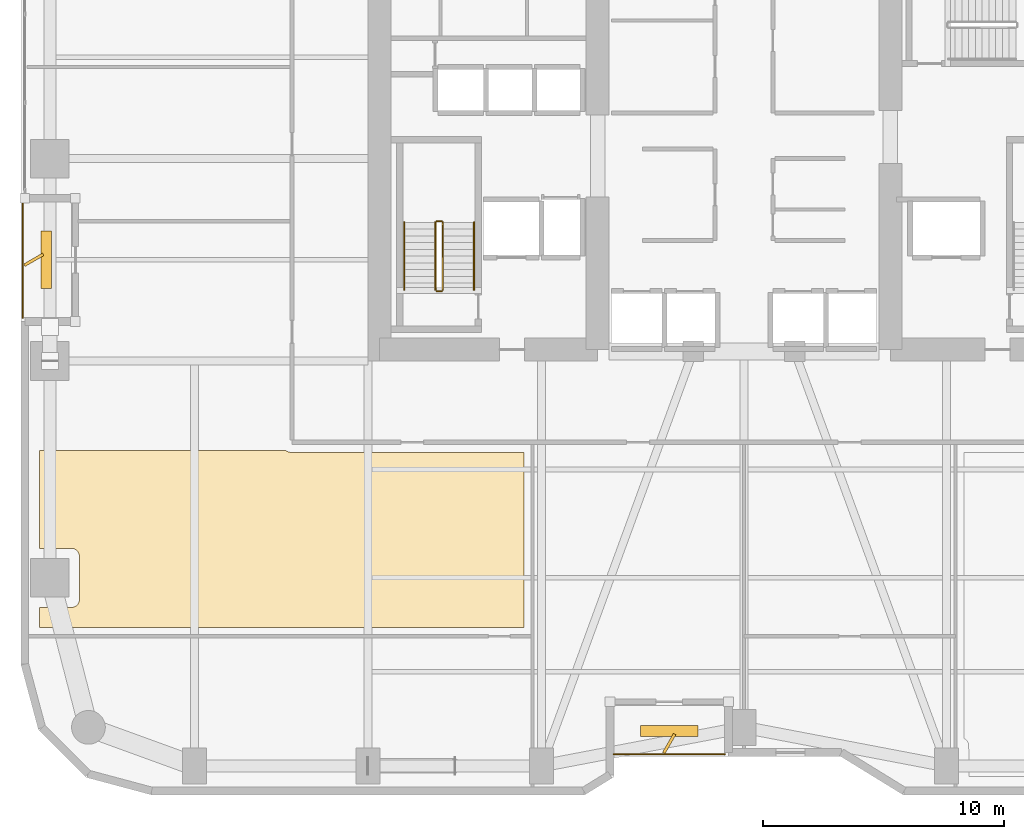
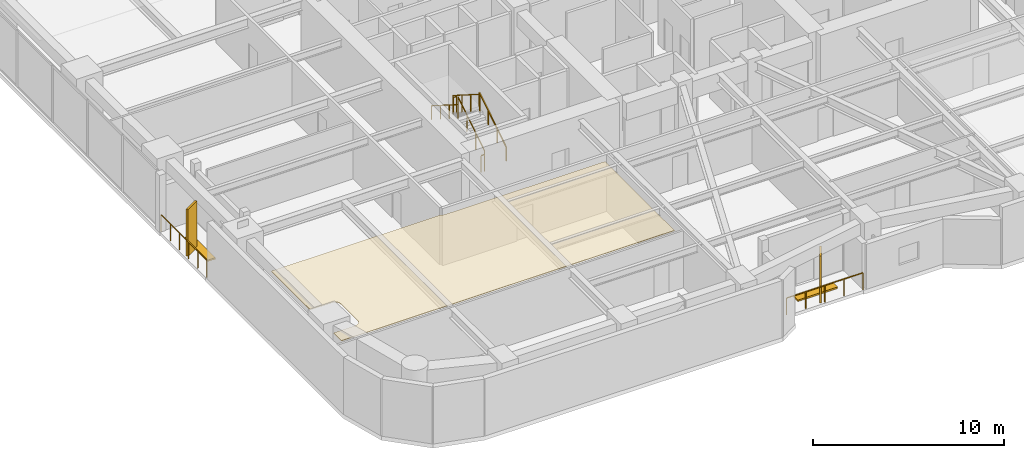
# One storey, part 22 of 24: 8 railings, 4 shading devices, 1 covering.
"""IFC4 building model written with IfcOpenShell, lengths in metres."""

from ifc_helpers import new_model, si_unit, direction, frame, origin, origin_2d, place, context, subcontext, project, spatial, polyline, rectangle, outline, extrude, material, layer, layer_set, type_object, element, save


model = new_model("IFC4")

# Units and contexts
model_context = context("Model", 3, precision=1e-05, world=origin(), true_north=direction((0.0, 1.0)))
body_context = subcontext(model_context, "Body", "Model", "MODEL_VIEW")
ifc_project = project(units=[si_unit("LENGTHUNIT", "METRE"), si_unit("AREAUNIT", "SQUARE_METRE"), si_unit("VOLUMEUNIT", "CUBIC_METRE"), si_unit("PLANEANGLEUNIT", "RADIAN"), si_unit("MASSUNIT", "GRAM", prefix="KILO")], contexts=[model_context])

# Site, building, storey
site_placement = place(None, origin())
site = spatial("IfcSite", under=ifc_project, at=site_placement, CompositionType="ELEMENT")
building_placement = place(site_placement, origin())
building = spatial("IfcBuilding", under=site, at=building_placement, Name="Kiyonajd Concourse Tower", CompositionType="ELEMENT")
storey_placement = place(building_placement, frame((0.0, 0.0, 85.800048828125)))
storey = spatial("IfcBuildingStorey", under=building, at=storey_placement, Name="L22", CompositionType="ELEMENT", Elevation=85.800048828125)

# Covering
ifc_material_1 = material(Name="Natural Oak Acoustic Timber Veneer", Category="wood")
ifc_layer = layer(ifc_material_1, 0.0400390625)
ifc_layer_set = layer_set([ifc_layer], Name="Natural Oak Acoustic Timber Veneer")
covering_type = type_object("IfcCoveringType", Name="CV-CLG-ACST", PredefinedType="CEILING", material=ifc_layer_set)
covering_placement = place(storey_placement, frame((0.0, 0.0, 3.4599609375)))
element("IfcCovering", 1, at=covering_placement, inside=storey, type_object=covering_type, Name="L22-41 Room Acoustic Ceiling", PredefinedType="CEILING", context=body_context, shape_type="SweptSolid", body=[
    extrude(outline(polyline([(29.001953125, 23.8798828125), (29.056884765625, 23.845947265625), (29.1201171875, 23.820068359375), (29.25, 23.800048828125), (38.8701171875, 23.800048828125), (38.8701171875, 16.550048828125), (18.77001953125, 16.550048828125), (18.77001953125, 17.3701171875), (20.080078125, 17.3701171875), (20.14794921875, 17.376953125), (20.2451171875, 17.410888671875), (20.302001953125, 17.448974609375), (20.35107421875, 17.498046875), (20.388916015625, 17.554931640625), (20.4150390625, 17.617919921875), (20.429931640625, 17.719970703125), (20.429931640625, 19.47998046875), (20.4150390625, 19.58203125), (20.388916015625, 19.64501953125), (20.35107421875, 19.701904296875), (20.302001953125, 19.7509765625), (20.2451171875, 19.7890625), (20.181884765625, 19.81494140625), (20.114013671875, 19.827880859375), (18.77001953125, 19.830078125), (18.77001953125, 23.8798828125), (29.001953125, 23.8798828125)])), origin(), (0.0, 0.0, 1.0), 0.0400390625),
])

# Railings
ifc_material_2 = material(Name="Thermally Broken Anodised Aluminium", Category="aluminium")
railing_type_1 = type_object("IfcRailingType", Name="RL-GRD-LOG", PredefinedType="GUARDRAIL", material=ifc_material_2)
railing_1_placement = place(storey_placement, frame((42.60009765625, 11.280029296875, 0.0)))
element("IfcRailing", 2, at=railing_1_placement, inside=storey, type_object=railing_type_1, Name="L22 Engawa Loggia Perimeter Guard LOG-S", PredefinedType="GUARDRAIL", context=body_context, shape_type="SweptSolid", body=[
    extrude(rectangle(XDim=0.048095703125, YDim=0.048095703125, at=origin_2d()), frame((0.0, 0.0, 1.076171875), z_axis=(1.0, 0.0, 0.0), x_axis=(0.0, 1.0, 0.0)), (0.0, 0.0, 1.0), 4.599853515625),
    extrude(rectangle(XDim=0.0419921875, YDim=0.0419921875, at=origin_2d()), origin(), (0.0, 0.0, 1.0), 1.052001953125),
    extrude(rectangle(XDim=0.0419921875, YDim=0.0419921875, at=origin_2d()), frame((1.14990234375, 0.0, 0.0)), (0.0, 0.0, 1.0), 1.052001953125),
    extrude(rectangle(XDim=0.0419921875, YDim=0.0419921875, at=origin_2d()), frame((2.2998046875, 0.0, 0.0)), (0.0, 0.0, 1.0), 1.052001953125),
    extrude(rectangle(XDim=0.0419921875, YDim=0.0419921875, at=origin_2d()), frame((3.449951171875, 0.0, 0.0)), (0.0, 0.0, 1.0), 1.052001953125),
    extrude(rectangle(XDim=0.0419921875, YDim=0.0419921875, at=origin_2d()), frame((4.599853515625, 0.0, 0.0)), (0.0, 0.0, 1.0), 1.052001953125),
])
railing_2_placement = place(storey_placement, frame((18.080078125, 34.199951171875, 0.0)))
element("IfcRailing", 3, at=railing_2_placement, inside=storey, type_object=railing_type_1, Name="L22 Engawa Loggia Perimeter Guard LOG-W", PredefinedType="GUARDRAIL", context=body_context, shape_type="SweptSolid", body=[
    extrude(rectangle(XDim=0.048095703125, YDim=0.048095703125, at=origin_2d()), frame((0.0, 0.0, 1.076171875), z_axis=(0.0, -1.0, 0.0), x_axis=(1.0, 0.0, 0.0)), (0.0, 0.0, 1.0), 4.800048828125),
    extrude(rectangle(XDim=0.0419921875, YDim=0.0419921875, at=origin_2d()), origin(), (0.0, 0.0, 1.0), 1.052001953125),
    extrude(rectangle(XDim=0.0419921875, YDim=0.0419921875, at=origin_2d()), frame((0.0, -0.9599609375, 0.0)), (0.0, 0.0, 1.0), 1.052001953125),
    extrude(rectangle(XDim=0.0419921875, YDim=0.0419921875, at=origin_2d()), frame((0.0, -1.919921875, 0.0)), (0.0, 0.0, 1.0), 1.052001953125),
    extrude(rectangle(XDim=0.0419921875, YDim=0.0419921875, at=origin_2d()), frame((0.0, -2.880126953125, 0.0)), (0.0, 0.0, 1.0), 1.052001953125),
    extrude(rectangle(XDim=0.0419921875, YDim=0.0419921875, at=origin_2d()), frame((0.0, -3.840087890625, 0.0)), (0.0, 0.0, 1.0), 1.052001953125),
    extrude(rectangle(XDim=0.0419921875, YDim=0.0419921875, at=origin_2d()), frame((0.0, -4.800048828125, 0.0)), (0.0, 0.0, 1.0), 1.052001953125),
])
ifc_material_3 = material(Name="Steel ASTM A500 Grade C", Category="steel")
railing_type_2 = type_object("IfcRailingType", Name="RL-GRD-STR", PredefinedType="GUARDRAIL", material=ifc_material_3)
railing_3_placement = place(storey_placement, frame((35.5, 30.550048828125, 0.17724609375)))
element("IfcRailing", 4, at=railing_3_placement, inside=storey, type_object=railing_type_2, Name="L22 ST1 stair guard 1", PredefinedType="GUARDRAIL", context=body_context, shape_type="SweptSolid", body=[
    extrude(rectangle(XDim=0.048095703125, YDim=0.048095703125, at=origin_2d()), frame((0.0, 0.0, 1.076171875), z_axis=(0.0, 0.844908973607, 0.534910110503), x_axis=(-1.0, 0.0, 0.0)), (0.0, 0.0, 1.0), 3.31396484375),
    extrude(rectangle(XDim=0.0419921875, YDim=0.0419921875, at=origin_2d()), origin(), (0.0, 0.0, 1.0), 1.052001953125),
    extrude(rectangle(XDim=0.0419921875, YDim=0.0419921875, at=origin_2d()), frame((0.0, 0.933349609375, 0.5908203125)), (0.0, 0.0, 1.0), 1.052001953125),
    extrude(rectangle(XDim=0.0419921875, YDim=0.0419921875, at=origin_2d()), frame((0.0, 1.86669921875, 1.181884765625)), (0.0, 0.0, 1.0), 1.052001953125),
    extrude(rectangle(XDim=0.0419921875, YDim=0.0419921875, at=origin_2d()), frame((0.0, 2.800048828125, 1.772705078125)), (0.0, 0.0, 1.0), 1.052001953125),
])
railing_4_placement = place(storey_placement, frame((35.449951171875, 33.39990234375, 1.949951171875)))
element("IfcRailing", 5, at=railing_4_placement, inside=storey, type_object=railing_type_2, Name="L22 ST1 stair guard 2", PredefinedType="GUARDRAIL", context=body_context, shape_type="SweptSolid", body=[
    extrude(rectangle(XDim=0.048095703125, YDim=0.048095703125, at=origin_2d()), frame((0.0, 0.0, 1.076171875), z_axis=(-1.0, 0.0, 0.0), x_axis=(0.0, -1.0, 0.0)), (0.0, 0.0, 1.0), 0.199951171875),
    extrude(rectangle(XDim=0.0419921875, YDim=0.0419921875, at=origin_2d()), origin(), (0.0, 0.0, 1.0), 1.052001953125),
    extrude(rectangle(XDim=0.0419921875, YDim=0.0419921875, at=origin_2d()), frame((-0.199951171875, 0.0, 0.0)), (0.0, 0.0, 1.0), 1.052001953125),
])
railing_5_placement = place(storey_placement, frame((35.199951171875, 33.35009765625, 2.127197265625)))
element("IfcRailing", 6, at=railing_5_placement, inside=storey, type_object=railing_type_2, Name="L22 ST1 stair guard 3", PredefinedType="GUARDRAIL", context=body_context, shape_type="SweptSolid", body=[
    extrude(rectangle(XDim=0.048095703125, YDim=0.048095703125, at=origin_2d()), frame((0.0, 0.0, 1.076171875), z_axis=(0.0, -0.844908973607, 0.534910110503), x_axis=(1.0, 0.0, 0.0)), (0.0, 0.0, 1.0), 3.31396484375),
    extrude(rectangle(XDim=0.0419921875, YDim=0.0419921875, at=origin_2d()), origin(), (0.0, 0.0, 1.0), 1.052001953125),
    extrude(rectangle(XDim=0.0419921875, YDim=0.0419921875, at=origin_2d()), frame((0.0, -0.933349609375, 0.5908203125)), (0.0, 0.0, 1.0), 1.052001953125),
    extrude(rectangle(XDim=0.0419921875, YDim=0.0419921875, at=origin_2d()), frame((0.0, -1.86669921875, 1.181884765625)), (0.0, 0.0, 1.0), 1.052001953125),
    extrude(rectangle(XDim=0.0419921875, YDim=0.0419921875, at=origin_2d()), frame((0.0, -2.800048828125, 1.772705078125)), (0.0, 0.0, 1.0), 1.052001953125),
])
railing_6_placement = place(storey_placement, frame((35.449951171875, 30.5, 0.0)))
element("IfcRailing", 7, at=railing_6_placement, inside=storey, type_object=railing_type_2, Name="L22 ST1 stair guard 4", PredefinedType="GUARDRAIL", context=body_context, shape_type="SweptSolid", body=[
    extrude(rectangle(XDim=0.048095703125, YDim=0.048095703125, at=origin_2d()), frame((0.0, 0.0, 1.076171875), z_axis=(-1.0, 0.0, 0.0), x_axis=(0.0, -1.0, 0.0)), (0.0, 0.0, 1.0), 0.199951171875),
    extrude(rectangle(XDim=0.0419921875, YDim=0.0419921875, at=origin_2d()), origin(), (0.0, 0.0, 1.0), 1.052001953125),
    extrude(rectangle(XDim=0.0419921875, YDim=0.0419921875, at=origin_2d()), frame((-0.199951171875, 0.0, 0.0)), (0.0, 0.0, 1.0), 1.052001953125),
])
ifc_material_4 = material(Name="Brushed Stainless Steel Cab Assembly", Category="steel")
railing_type_3 = type_object("IfcRailingType", Name="RL-HND-900", PredefinedType="HANDRAIL", material=ifc_material_4)
railing_7_placement = place(storey_placement, frame((36.800048828125, 30.550048828125, 0.17724609375)))
element("IfcRailing", 8, at=railing_7_placement, inside=storey, type_object=railing_type_3, Name="L22 ST1 stair handrail 1", PredefinedType="HANDRAIL", context=body_context, shape_type="SweptSolid", body=[
    extrude(rectangle(XDim=0.048095703125, YDim=0.048095703125, at=origin_2d()), frame((0.0, 0.0, 0.8759765625), z_axis=(0.0, 0.844908973607, 0.534910110503), x_axis=(-1.0, 0.0, 0.0)), (0.0, 0.0, 1.0), 3.31396484375),
    extrude(rectangle(XDim=0.0419921875, YDim=0.0419921875, at=origin_2d()), origin(), (0.0, 0.0, 1.0), 0.851806640625),
    extrude(rectangle(XDim=0.0419921875, YDim=0.0419921875, at=origin_2d()), frame((0.0, 0.933349609375, 0.5908203125)), (0.0, 0.0, 1.0), 0.851806640625),
    extrude(rectangle(XDim=0.0419921875, YDim=0.0419921875, at=origin_2d()), frame((0.0, 1.86669921875, 1.181884765625)), (0.0, 0.0, 1.0), 0.851806640625),
    extrude(rectangle(XDim=0.0419921875, YDim=0.0419921875, at=origin_2d()), frame((0.0, 2.800048828125, 1.772705078125)), (0.0, 0.0, 1.0), 0.851806640625),
])
railing_8_placement = place(storey_placement, frame((33.89990234375, 33.35009765625, 2.127197265625)))
element("IfcRailing", 9, at=railing_8_placement, inside=storey, type_object=railing_type_3, Name="L22 ST1 stair handrail 2", PredefinedType="HANDRAIL", context=body_context, shape_type="SweptSolid", body=[
    extrude(rectangle(XDim=0.048095703125, YDim=0.048095703125, at=origin_2d()), frame((0.0, 0.0, 0.8759765625), z_axis=(0.0, -0.844908973607, 0.534910110503), x_axis=(1.0, 0.0, 0.0)), (0.0, 0.0, 1.0), 3.31396484375),
    extrude(rectangle(XDim=0.0419921875, YDim=0.0419921875, at=origin_2d()), origin(), (0.0, 0.0, 1.0), 0.851806640625),
    extrude(rectangle(XDim=0.0419921875, YDim=0.0419921875, at=origin_2d()), frame((0.0, -0.933349609375, 0.5908203125)), (0.0, 0.0, 1.0), 0.851806640625),
    extrude(rectangle(XDim=0.0419921875, YDim=0.0419921875, at=origin_2d()), frame((0.0, -1.86669921875, 1.181884765625)), (0.0, 0.0, 1.0), 0.851806640625),
    extrude(rectangle(XDim=0.0419921875, YDim=0.0419921875, at=origin_2d()), frame((0.0, -2.800048828125, 1.772705078125)), (0.0, 0.0, 1.0), 0.851806640625),
])

# Shading devices
ifc_material_5 = material(Name="Precast concrete C50/60", Category="concrete")
shading_device_type_1 = type_object("IfcShadingDeviceType", Name="SH-FIN-900", PredefinedType="USERDEFINED", material=ifc_material_5)
for number, where, z_axis, x_axis, name in (
    (10, (44.89990234375, 11.72998046875, 0.0), (0.0, 0.0, 1.0), (0.5, 0.866025403784, 0.0), "L22 Angled Koshi Solar Fin LOG-S"),
    (11, (18.530029296875, 31.800048828125, 0.0), (0.0, 0.0, 1.0), (0.866025403784, 0.5, 0.0), "L22 Angled Koshi Solar Fin LOG-W"),
):
    element("IfcShadingDevice", number, at=place(storey_placement, frame(where, z_axis=z_axis, x_axis=x_axis)), inside=storey, type_object=shading_device_type_1, Name=name, ObjectType="FIN", PredefinedType="USERDEFINED", context=body_context, shape_type="SweptSolid", body=[
        extrude(rectangle(XDim=0.89990234375, YDim=0.1201171875, at=origin_2d()), origin(), (0.0, 0.0, 1.0), 3.0),
    ])
shading_device_type_2 = type_object("IfcShadingDeviceType", Name="SH-LVR-600", PredefinedType="JALOUSIE", material=ifc_material_2)
for number, where, z_axis, x_axis, name in (
    (12, (44.89990234375, 12.25, 0.0), (0.0, 0.0, 1.0), (1.0, 0.0, 0.0), "L22 Loggia Threshold Louver LOG-S"),
    (13, (19.050048828125, 31.800048828125, 0.0), (0.0, 0.0, 1.0), (0.0, 1.0, 0.0), "L22 Loggia Threshold Louver LOG-W"),
):
    element("IfcShadingDevice", number, at=place(storey_placement, frame(where, z_axis=z_axis, x_axis=x_axis)), inside=storey, type_object=shading_device_type_2, Name=name, PredefinedType="JALOUSIE", context=body_context, shape_type="SweptSolid", body=[
        extrude(rectangle(XDim=2.39990234375, YDim=0.449951171875, at=origin_2d()), origin(), (0.0, 0.0, 1.0), 0.10009765625),
    ])

save(model, "model.ifc")
